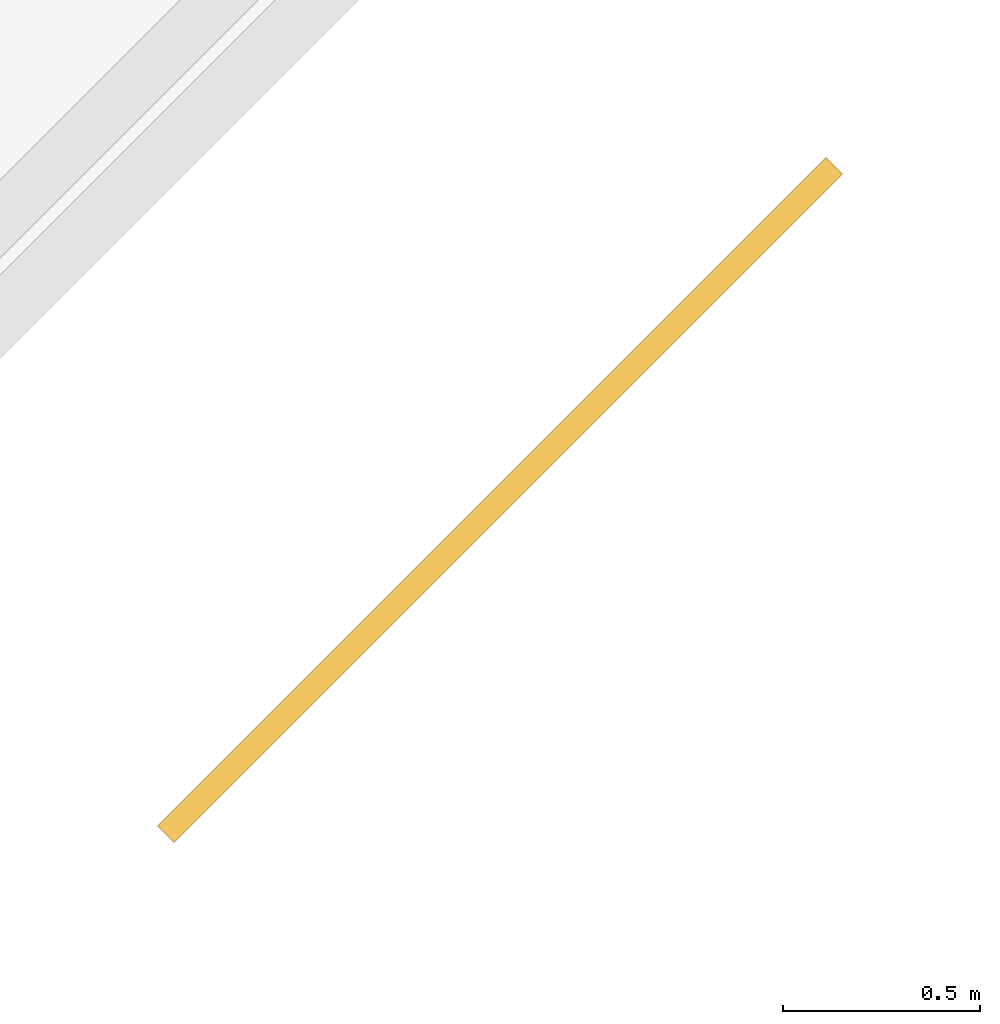
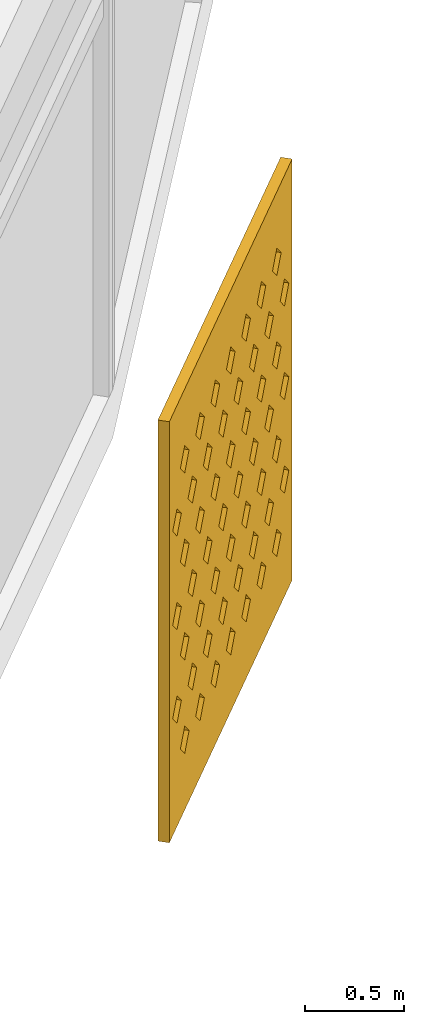
# One storey, part 31 of 31: 1 shading device.
"""IFC4 building model written with IfcOpenShell, lengths in metres."""

import ifcopenshell
import ifcopenshell.guid

model = None  # the IFC model being written
_history = None  # IfcOwnerHistory: only IFC2X3 demands one
_inside = {}  # id of a spatial element -> (the spatial element, [elements in it])
_under = {}  # id of a project, library or spatial element -> (it, [spatial elements below it])
_declared = {}  # id of a project -> (the project, [libraries it declares])
_typed = {}  # id of a type object -> (the type object, [elements of that type])
_made_of = {}  # id of a material, layer set ... -> (it, [elements and type objects made of it])


def new_model(schema):
    """Start an empty IFC model of exactly this schema.

    Asked for "IFC4X3", IfcOpenShell would pick the latest addendum, in which some entities
    have other attributes; the version numbers below select the first issue.
    IFC2X3 requires an IfcOwnerHistory on every rooted entity: one is made here for all.
    """
    global model, _history
    if schema == "IFC4X3":
        model = ifcopenshell.file(schema_version=(4, 3, 0, 0))
    else:
        model = ifcopenshell.file(schema=schema)
    _inside.clear()
    _under.clear()
    _declared.clear()
    _typed.clear()
    _made_of.clear()
    _history = None
    if model.schema == "IFC2X3":
        org = make("IfcOrganization", Name="unknown")
        user = make(
            "IfcPersonAndOrganization",
            ThePerson=make("IfcPerson", FamilyName="unknown"),
            TheOrganization=org,
        )
        app = make(
            "IfcApplication",
            ApplicationDeveloper=org,
            Version="unknown",
            ApplicationFullName="unknown",
            ApplicationIdentifier="unknown",
        )
        _history = make(
            "IfcOwnerHistory",
            OwningUser=user,
            OwningApplication=app,
            ChangeAction="ADDED",
            CreationDate=0,
        )
    return model


def make(cls, **values):
    """One entity of the class cls with the attributes given. An attribute that is None is left unset."""
    return model.create_entity(
        cls, **{name: value for name, value in values.items() if value is not None}
    )


def rooted(cls, **values):
    """An entity with a GlobalId (a new one), such as an element, a storey or a relation."""
    return make(cls, GlobalId=ifcopenshell.guid.new(), OwnerHistory=_history, **values)


def si_unit(unit_type, name, prefix=None):
    """IfcSIUnit, for example si_unit("LENGTHUNIT", "METRE", prefix="MILLI")."""
    return make("IfcSIUnit", UnitType=unit_type, Prefix=prefix, Name=name)


def assignment(units):
    """IfcUnitAssignment: the units of a project."""
    return None if units is None else make("IfcUnitAssignment", Units=units)


def point(xyz):
    """IfcCartesianPoint."""
    return None if xyz is None else make("IfcCartesianPoint", Coordinates=xyz)


def direction(xyz):
    """IfcDirection."""
    return None if xyz is None else make("IfcDirection", DirectionRatios=xyz)


def frame(location, z_axis=None, x_axis=None):
    """IfcAxis2Placement3D, a coordinate frame: its origin and axes. An axis left out is left unset."""
    return make(
        "IfcAxis2Placement3D",
        Location=point(location),
        Axis=direction(z_axis),
        RefDirection=direction(x_axis),
    )


def origin():
    """The frame at (0, 0, 0) with its axes left unset."""
    return frame((0.0, 0.0, 0.0))


def place(relative_to, where):
    """IfcLocalPlacement: puts the frame where relative to a parent placement (None: the world)."""
    return make(
        "IfcLocalPlacement", PlacementRelTo=relative_to, RelativePlacement=where
    )


def context(
    kind, dimensions, precision=None, world=None, true_north=None, identifier=None
):
    """IfcGeometricRepresentationContext, for example the 3D "Model" context."""
    return make(
        "IfcGeometricRepresentationContext",
        ContextIdentifier=identifier,
        ContextType=kind,
        CoordinateSpaceDimension=dimensions,
        Precision=precision,
        WorldCoordinateSystem=world,
        TrueNorth=true_north,
    )


def subcontext(parent, identifier, kind, view, scale=None):
    """IfcGeometricRepresentationSubContext, for example "Body" below "Model"."""
    return make(
        "IfcGeometricRepresentationSubContext",
        ContextIdentifier=identifier,
        ContextType=kind,
        ParentContext=parent,
        TargetScale=scale,
        TargetView=view,
    )


def project(units=None, contexts=None):
    """IfcProject with its units and contexts."""
    return rooted(
        "IfcProject",
        Name="project",
        RepresentationContexts=contexts,
        UnitsInContext=assignment(units),
    )


def spatial(cls, under=None, at=None, **own):
    """A site, building, storey or space (cls), placed at a placement, below another one or the project."""
    s = rooted(cls, ObjectPlacement=at, **own)
    if under is not None:
        _under.setdefault(under.id(), (under, []))[1].append(s)
    return s


def polyline(points):
    """IfcPolyline through the points."""
    return make("IfcPolyline", Points=[point(p) for p in points])


def outline(outer, holes=None, kind="AREA"):
    """IfcArbitraryClosedProfileDef: a profile drawn as a closed curve; with holes, ...WithVoids."""
    if holes is None:
        return make("IfcArbitraryClosedProfileDef", ProfileType=kind, OuterCurve=outer)
    return make(
        "IfcArbitraryProfileDefWithVoids",
        ProfileType=kind,
        OuterCurve=outer,
        InnerCurves=holes,
    )


def extrude(swept, where, along, depth):
    """IfcExtrudedAreaSolid: the profile swept, set in the frame where, extruded along a direction by depth."""
    return make(
        "IfcExtrudedAreaSolid",
        SweptArea=swept,
        Position=where,
        ExtrudedDirection=direction(along),
        Depth=depth,
    )


def shape(context_of_items, identifier, shape_type, items):
    """IfcShapeRepresentation: the items that make up one representation, for example the "Body"."""
    return make(
        "IfcShapeRepresentation",
        ContextOfItems=context_of_items,
        RepresentationIdentifier=identifier,
        RepresentationType=shape_type,
        Items=items,
    )


def material(Name=None, Category=None):
    """IfcMaterial."""
    return make("IfcMaterial", Name=Name, Category=Category)


def material_profile(
    of_material, cross_section, Name=None, Category=None, Priority=None
):
    """IfcMaterialProfile: a cross section and its material."""
    return make(
        "IfcMaterialProfile",
        Name=Name,
        Material=of_material,
        Profile=cross_section,
        Priority=Priority,
        Category=Category,
    )


def profile_set(profiles, Name=None, composite=None):
    """IfcMaterialProfileSet."""
    return make(
        "IfcMaterialProfileSet",
        Name=Name,
        MaterialProfiles=profiles,
        CompositeProfile=composite,
    )


def made_of(thing, what):
    """Note that an element or type object is made of a material, layer set ...; save() writes the relation."""
    if what is not None:
        _made_of.setdefault(what.id(), (what, []))[1].append(thing)
    return thing


def type_object(cls, material=None, **own):
    """A type object (cls), such as IfcWallType, which elements share."""
    return made_of(rooted(cls, **own), material)


def element(
    cls,
    number,
    at=None,
    inside=None,
    cuts=None,
    type_object=None,
    material=None,
    context=None,
    identifier="Body",
    shape_type=None,
    held_by="IfcProductDefinitionShape",
    body=None,
    shapes=None,
    **own,
):
    """One element of the class cls, such as IfcWall. Its Tag is "e" and its number.

    at: its placement. inside: the storey or other place that contains it. cuts: it is an
    opening in that element (IfcRelVoidsElement). A single representation is given by context,
    identifier, shape_type and body (its items); several are given by shapes. held_by: the class
    of the entity that holds the representations. save() writes the other relations.
    """
    e = rooted(cls, Tag="e%d" % number, ObjectPlacement=at, **own)
    if body is not None:
        shapes = [shape(context, identifier, shape_type, body)]
    if shapes is not None:
        e.Representation = make(held_by, Representations=shapes)
    if inside is not None:
        _inside.setdefault(inside.id(), (inside, []))[1].append(e)
    if cuts is not None:
        rooted(
            "IfcRelVoidsElement", RelatingBuildingElement=cuts, RelatedOpeningElement=e
        )
    if type_object is not None:
        _typed.setdefault(type_object.id(), (type_object, []))[1].append(e)
    return made_of(e, material)


def aggregate(whole, parts):
    """IfcRelAggregates: a whole, such as a stair, and the parts it consists of."""
    return rooted("IfcRelAggregates", RelatingObject=whole, RelatedObjects=parts)


def save(model, path):
    """Write the relations noted so far, then the file.

    IfcRelAggregates (storeys below a building ...), IfcRelContainedInSpatialStructure (elements
    in a storey), IfcRelDefinesByType, IfcRelAssociatesMaterial and IfcRelDeclares: one each for
    every whole, place, type object, material and project.
    """
    for whole, parts in _under.values():
        aggregate(whole, parts)
    for where, things in _inside.values():
        rooted(
            "IfcRelContainedInSpatialStructure",
            RelatedElements=things,
            RelatingStructure=where,
        )
    for kind, things in _typed.values():
        rooted("IfcRelDefinesByType", RelatedObjects=things, RelatingType=kind)
    for what, things in _made_of.values():
        rooted("IfcRelAssociatesMaterial", RelatedObjects=things, RelatingMaterial=what)
    for by, libraries in _declared.values():
        rooted("IfcRelDeclares", RelatingContext=by, RelatedDefinitions=libraries)
    model.write(path)


model = new_model("IFC4")

# Units and contexts
model_context = context("Model", 3, precision=1e-05, world=origin(), true_north=direction((0.0, 1.0)))
body_context = subcontext(model_context, "Body", "Model", "MODEL_VIEW")
ifc_project = project(units=[si_unit("LENGTHUNIT", "METRE"), si_unit("AREAUNIT", "SQUARE_METRE"), si_unit("VOLUMEUNIT", "CUBIC_METRE"), si_unit("PLANEANGLEUNIT", "RADIAN"), si_unit("MASSUNIT", "GRAM", prefix="KILO")], contexts=[model_context])

# Site, building, storey
site_placement = place(None, origin())
site = spatial("IfcSite", under=ifc_project, at=site_placement, CompositionType="ELEMENT")
building_placement = place(site_placement, origin())
building = spatial("IfcBuilding", under=site, at=building_placement, Name="Qamariyya Broadcast Tower", CompositionType="ELEMENT")
storey_placement = place(building_placement, frame((0.0, 0.0, 51.89990234375)))
storey = spatial("IfcBuildingStorey", under=building, at=storey_placement, Name="L09", CompositionType="ELEMENT", Elevation=51.89990234375)

# Shading device
ifc_material = material(Name="Perforated glazed terracotta", Category="masonry")
ifc_material_profile = material_profile(ifc_material, outline(polyline([(-1.199951171875, -1.300048828125), (1.199951171875, -1.300048828125), (1.199951171875, 1.300048828125), (-1.199951171875, 1.300048828125), (-1.199951171875, -1.300048828125)]), holes=[polyline([(-0.81494140625, -0.86669921875), (-0.89990234375, -0.78173828125), (-0.985107421875, -0.86669921875), (-0.89990234375, -0.95166015625), (-0.81494140625, -0.86669921875)]), polyline([(-0.514892578125, -0.86669921875), (-0.60009765625, -0.78173828125), (-0.68505859375, -0.86669921875), (-0.60009765625, -0.95166015625), (-0.514892578125, -0.86669921875)]), polyline([(-0.215087890625, -0.86669921875), (-0.300048828125, -0.78173828125), (-0.385009765625, -0.86669921875), (-0.300048828125, -0.95166015625), (-0.215087890625, -0.86669921875)]), polyline([(0.0849609375, -0.86669921875), (0.0, -0.78173828125), (-0.0849609375, -0.86669921875), (0.0, -0.95166015625), (0.0849609375, -0.86669921875)]), polyline([(0.385009765625, -0.86669921875), (0.300048828125, -0.78173828125), (0.215087890625, -0.86669921875), (0.300048828125, -0.95166015625), (0.385009765625, -0.86669921875)]), polyline([(0.68505859375, -0.86669921875), (0.60009765625, -0.78173828125), (0.514892578125, -0.86669921875), (0.60009765625, -0.95166015625), (0.68505859375, -0.86669921875)]), polyline([(0.985107421875, -0.86669921875), (0.89990234375, -0.78173828125), (0.81494140625, -0.86669921875), (0.89990234375, -0.95166015625), (0.985107421875, -0.86669921875)]), polyline([(-0.965087890625, -0.577880859375), (-1.050048828125, -0.49267578125), (-1.135009765625, -0.577880859375), (-1.050048828125, -0.662841796875), (-0.965087890625, -0.577880859375)]), polyline([(-0.6650390625, -0.577880859375), (-0.75, -0.49267578125), (-0.8349609375, -0.577880859375), (-0.75, -0.662841796875), (-0.6650390625, -0.577880859375)]), polyline([(-0.364990234375, -0.577880859375), (-0.449951171875, -0.49267578125), (-0.534912109375, -0.577880859375), (-0.449951171875, -0.662841796875), (-0.364990234375, -0.577880859375)]), polyline([(-0.06494140625, -0.577880859375), (-0.14990234375, -0.49267578125), (-0.235107421875, -0.577880859375), (-0.14990234375, -0.662841796875), (-0.06494140625, -0.577880859375)]), polyline([(0.235107421875, -0.577880859375), (0.14990234375, -0.49267578125), (0.06494140625, -0.577880859375), (0.14990234375, -0.662841796875), (0.235107421875, -0.577880859375)]), polyline([(0.534912109375, -0.577880859375), (0.449951171875, -0.49267578125), (0.364990234375, -0.577880859375), (0.449951171875, -0.662841796875), (0.534912109375, -0.577880859375)]), polyline([(0.8349609375, -0.577880859375), (0.75, -0.49267578125), (0.6650390625, -0.577880859375), (0.75, -0.662841796875), (0.8349609375, -0.577880859375)]), polyline([(1.135009765625, -0.577880859375), (1.050048828125, -0.49267578125), (0.965087890625, -0.577880859375), (1.050048828125, -0.662841796875), (1.135009765625, -0.577880859375)]), polyline([(-0.81494140625, -0.288818359375), (-0.89990234375, -0.203857421875), (-0.985107421875, -0.288818359375), (-0.89990234375, -0.373779296875), (-0.81494140625, -0.288818359375)]), polyline([(-0.514892578125, -0.288818359375), (-0.60009765625, -0.203857421875), (-0.68505859375, -0.288818359375), (-0.60009765625, -0.373779296875), (-0.514892578125, -0.288818359375)]), polyline([(-0.215087890625, -0.288818359375), (-0.300048828125, -0.203857421875), (-0.385009765625, -0.288818359375), (-0.300048828125, -0.373779296875), (-0.215087890625, -0.288818359375)]), polyline([(0.0849609375, -0.288818359375), (0.0, -0.203857421875), (-0.0849609375, -0.288818359375), (0.0, -0.373779296875), (0.0849609375, -0.288818359375)]), polyline([(0.385009765625, -0.288818359375), (0.300048828125, -0.203857421875), (0.215087890625, -0.288818359375), (0.300048828125, -0.373779296875), (0.385009765625, -0.288818359375)]), polyline([(0.68505859375, -0.288818359375), (0.60009765625, -0.203857421875), (0.514892578125, -0.288818359375), (0.60009765625, -0.373779296875), (0.68505859375, -0.288818359375)]), polyline([(0.985107421875, -0.288818359375), (0.89990234375, -0.203857421875), (0.81494140625, -0.288818359375), (0.89990234375, -0.373779296875), (0.985107421875, -0.288818359375)]), polyline([(-0.965087890625, 0.0), (-1.050048828125, 0.0849609375), (-1.135009765625, 0.0), (-1.050048828125, -0.0849609375), (-0.965087890625, 0.0)]), polyline([(-0.6650390625, 0.0), (-0.75, 0.0849609375), (-0.8349609375, 0.0), (-0.75, -0.0849609375), (-0.6650390625, 0.0)]), polyline([(-0.364990234375, 0.0), (-0.449951171875, 0.0849609375), (-0.534912109375, 0.0), (-0.449951171875, -0.0849609375), (-0.364990234375, 0.0)]), polyline([(-0.06494140625, 0.0), (-0.14990234375, 0.0849609375), (-0.235107421875, 0.0), (-0.14990234375, -0.0849609375), (-0.06494140625, 0.0)]), polyline([(0.235107421875, 0.0), (0.14990234375, 0.0849609375), (0.06494140625, 0.0), (0.14990234375, -0.0849609375), (0.235107421875, 0.0)]), polyline([(0.534912109375, 0.0), (0.449951171875, 0.0849609375), (0.364990234375, 0.0), (0.449951171875, -0.0849609375), (0.534912109375, 0.0)]), polyline([(0.8349609375, 0.0), (0.75, 0.0849609375), (0.6650390625, 0.0), (0.75, -0.0849609375), (0.8349609375, 0.0)]), polyline([(1.135009765625, 0.0), (1.050048828125, 0.0849609375), (0.965087890625, 0.0), (1.050048828125, -0.0849609375), (1.135009765625, 0.0)]), polyline([(-0.81494140625, 0.288818359375), (-0.89990234375, 0.373779296875), (-0.985107421875, 0.288818359375), (-0.89990234375, 0.203857421875), (-0.81494140625, 0.288818359375)]), polyline([(-0.514892578125, 0.288818359375), (-0.60009765625, 0.373779296875), (-0.68505859375, 0.288818359375), (-0.60009765625, 0.203857421875), (-0.514892578125, 0.288818359375)]), polyline([(-0.215087890625, 0.288818359375), (-0.300048828125, 0.373779296875), (-0.385009765625, 0.288818359375), (-0.300048828125, 0.203857421875), (-0.215087890625, 0.288818359375)]), polyline([(0.0849609375, 0.288818359375), (0.0, 0.373779296875), (-0.0849609375, 0.288818359375), (0.0, 0.203857421875), (0.0849609375, 0.288818359375)]), polyline([(0.385009765625, 0.288818359375), (0.300048828125, 0.373779296875), (0.215087890625, 0.288818359375), (0.300048828125, 0.203857421875), (0.385009765625, 0.288818359375)]), polyline([(0.68505859375, 0.288818359375), (0.60009765625, 0.373779296875), (0.514892578125, 0.288818359375), (0.60009765625, 0.203857421875), (0.68505859375, 0.288818359375)]), polyline([(0.985107421875, 0.288818359375), (0.89990234375, 0.373779296875), (0.81494140625, 0.288818359375), (0.89990234375, 0.203857421875), (0.985107421875, 0.288818359375)]), polyline([(-0.965087890625, 0.577880859375), (-1.050048828125, 0.662841796875), (-1.135009765625, 0.577880859375), (-1.050048828125, 0.49267578125), (-0.965087890625, 0.577880859375)]), polyline([(-0.6650390625, 0.577880859375), (-0.75, 0.662841796875), (-0.8349609375, 0.577880859375), (-0.75, 0.49267578125), (-0.6650390625, 0.577880859375)]), polyline([(-0.364990234375, 0.577880859375), (-0.449951171875, 0.662841796875), (-0.534912109375, 0.577880859375), (-0.449951171875, 0.49267578125), (-0.364990234375, 0.577880859375)]), polyline([(-0.06494140625, 0.577880859375), (-0.14990234375, 0.662841796875), (-0.235107421875, 0.577880859375), (-0.14990234375, 0.49267578125), (-0.06494140625, 0.577880859375)]), polyline([(0.235107421875, 0.577880859375), (0.14990234375, 0.662841796875), (0.06494140625, 0.577880859375), (0.14990234375, 0.49267578125), (0.235107421875, 0.577880859375)]), polyline([(0.534912109375, 0.577880859375), (0.449951171875, 0.662841796875), (0.364990234375, 0.577880859375), (0.449951171875, 0.49267578125), (0.534912109375, 0.577880859375)]), polyline([(0.8349609375, 0.577880859375), (0.75, 0.662841796875), (0.6650390625, 0.577880859375), (0.75, 0.49267578125), (0.8349609375, 0.577880859375)]), polyline([(1.135009765625, 0.577880859375), (1.050048828125, 0.662841796875), (0.965087890625, 0.577880859375), (1.050048828125, 0.49267578125), (1.135009765625, 0.577880859375)]), polyline([(-0.81494140625, 0.86669921875), (-0.89990234375, 0.95166015625), (-0.985107421875, 0.86669921875), (-0.89990234375, 0.78173828125), (-0.81494140625, 0.86669921875)]), polyline([(-0.514892578125, 0.86669921875), (-0.60009765625, 0.95166015625), (-0.68505859375, 0.86669921875), (-0.60009765625, 0.78173828125), (-0.514892578125, 0.86669921875)]), polyline([(-0.215087890625, 0.86669921875), (-0.300048828125, 0.95166015625), (-0.385009765625, 0.86669921875), (-0.300048828125, 0.78173828125), (-0.215087890625, 0.86669921875)]), polyline([(0.0849609375, 0.86669921875), (0.0, 0.95166015625), (-0.0849609375, 0.86669921875), (0.0, 0.78173828125), (0.0849609375, 0.86669921875)]), polyline([(0.385009765625, 0.86669921875), (0.300048828125, 0.95166015625), (0.215087890625, 0.86669921875), (0.300048828125, 0.78173828125), (0.385009765625, 0.86669921875)]), polyline([(0.68505859375, 0.86669921875), (0.60009765625, 0.95166015625), (0.514892578125, 0.86669921875), (0.60009765625, 0.78173828125), (0.68505859375, 0.86669921875)]), polyline([(0.985107421875, 0.86669921875), (0.89990234375, 0.95166015625), (0.81494140625, 0.86669921875), (0.89990234375, 0.78173828125), (0.985107421875, 0.86669921875)])]))
ifc_profile_set = profile_set([ifc_material_profile], Name="Perforated glazed terracotta")
shading_device_type = type_object("IfcShadingDeviceType", Name="Perforated terracotta screen 2400 x 2600", PredefinedType="USERDEFINED", material=ifc_profile_set)
shading_device_placement = place(storey_placement, frame((58.9033203125, -55.293701171875, 1.35009765625), z_axis=(0.707106781187, -0.707106781187, 0.0), x_axis=(0.707106781187, 0.707106781187, 0.0)))
element("IfcShadingDevice", 1, at=shading_device_placement, inside=storey, type_object=shading_device_type, Name="e-scr-L09-14-2", ObjectType="SCREEN", PredefinedType="USERDEFINED", context=body_context, shape_type="SweptSolid", body=[
    extrude(outline(polyline([(-1.199951171875, -1.300048828125), (1.199951171875, -1.300048828125), (1.199951171875, 1.300048828125), (-1.199951171875, 1.300048828125), (-1.199951171875, -1.300048828125)]), holes=[polyline([(-0.81494140625, -0.86669921875), (-0.89990234375, -0.78173828125), (-0.985107421875, -0.86669921875), (-0.89990234375, -0.95166015625), (-0.81494140625, -0.86669921875)]), polyline([(-0.514892578125, -0.86669921875), (-0.60009765625, -0.78173828125), (-0.68505859375, -0.86669921875), (-0.60009765625, -0.95166015625), (-0.514892578125, -0.86669921875)]), polyline([(-0.215087890625, -0.86669921875), (-0.300048828125, -0.78173828125), (-0.385009765625, -0.86669921875), (-0.300048828125, -0.95166015625), (-0.215087890625, -0.86669921875)]), polyline([(0.0849609375, -0.86669921875), (0.0, -0.78173828125), (-0.0849609375, -0.86669921875), (0.0, -0.95166015625), (0.0849609375, -0.86669921875)]), polyline([(0.385009765625, -0.86669921875), (0.300048828125, -0.78173828125), (0.215087890625, -0.86669921875), (0.300048828125, -0.95166015625), (0.385009765625, -0.86669921875)]), polyline([(0.68505859375, -0.86669921875), (0.60009765625, -0.78173828125), (0.514892578125, -0.86669921875), (0.60009765625, -0.95166015625), (0.68505859375, -0.86669921875)]), polyline([(0.985107421875, -0.86669921875), (0.89990234375, -0.78173828125), (0.81494140625, -0.86669921875), (0.89990234375, -0.95166015625), (0.985107421875, -0.86669921875)]), polyline([(-0.965087890625, -0.577880859375), (-1.050048828125, -0.49267578125), (-1.135009765625, -0.577880859375), (-1.050048828125, -0.662841796875), (-0.965087890625, -0.577880859375)]), polyline([(-0.6650390625, -0.577880859375), (-0.75, -0.49267578125), (-0.8349609375, -0.577880859375), (-0.75, -0.662841796875), (-0.6650390625, -0.577880859375)]), polyline([(-0.364990234375, -0.577880859375), (-0.449951171875, -0.49267578125), (-0.534912109375, -0.577880859375), (-0.449951171875, -0.662841796875), (-0.364990234375, -0.577880859375)]), polyline([(-0.06494140625, -0.577880859375), (-0.14990234375, -0.49267578125), (-0.235107421875, -0.577880859375), (-0.14990234375, -0.662841796875), (-0.06494140625, -0.577880859375)]), polyline([(0.235107421875, -0.577880859375), (0.14990234375, -0.49267578125), (0.06494140625, -0.577880859375), (0.14990234375, -0.662841796875), (0.235107421875, -0.577880859375)]), polyline([(0.534912109375, -0.577880859375), (0.449951171875, -0.49267578125), (0.364990234375, -0.577880859375), (0.449951171875, -0.662841796875), (0.534912109375, -0.577880859375)]), polyline([(0.8349609375, -0.577880859375), (0.75, -0.49267578125), (0.6650390625, -0.577880859375), (0.75, -0.662841796875), (0.8349609375, -0.577880859375)]), polyline([(1.135009765625, -0.577880859375), (1.050048828125, -0.49267578125), (0.965087890625, -0.577880859375), (1.050048828125, -0.662841796875), (1.135009765625, -0.577880859375)]), polyline([(-0.81494140625, -0.288818359375), (-0.89990234375, -0.203857421875), (-0.985107421875, -0.288818359375), (-0.89990234375, -0.373779296875), (-0.81494140625, -0.288818359375)]), polyline([(-0.514892578125, -0.288818359375), (-0.60009765625, -0.203857421875), (-0.68505859375, -0.288818359375), (-0.60009765625, -0.373779296875), (-0.514892578125, -0.288818359375)]), polyline([(-0.215087890625, -0.288818359375), (-0.300048828125, -0.203857421875), (-0.385009765625, -0.288818359375), (-0.300048828125, -0.373779296875), (-0.215087890625, -0.288818359375)]), polyline([(0.0849609375, -0.288818359375), (0.0, -0.203857421875), (-0.0849609375, -0.288818359375), (0.0, -0.373779296875), (0.0849609375, -0.288818359375)]), polyline([(0.385009765625, -0.288818359375), (0.300048828125, -0.203857421875), (0.215087890625, -0.288818359375), (0.300048828125, -0.373779296875), (0.385009765625, -0.288818359375)]), polyline([(0.68505859375, -0.288818359375), (0.60009765625, -0.203857421875), (0.514892578125, -0.288818359375), (0.60009765625, -0.373779296875), (0.68505859375, -0.288818359375)]), polyline([(0.985107421875, -0.288818359375), (0.89990234375, -0.203857421875), (0.81494140625, -0.288818359375), (0.89990234375, -0.373779296875), (0.985107421875, -0.288818359375)]), polyline([(-0.965087890625, 0.0), (-1.050048828125, 0.0849609375), (-1.135009765625, 0.0), (-1.050048828125, -0.0849609375), (-0.965087890625, 0.0)]), polyline([(-0.6650390625, 0.0), (-0.75, 0.0849609375), (-0.8349609375, 0.0), (-0.75, -0.0849609375), (-0.6650390625, 0.0)]), polyline([(-0.364990234375, 0.0), (-0.449951171875, 0.0849609375), (-0.534912109375, 0.0), (-0.449951171875, -0.0849609375), (-0.364990234375, 0.0)]), polyline([(-0.06494140625, 0.0), (-0.14990234375, 0.0849609375), (-0.235107421875, 0.0), (-0.14990234375, -0.0849609375), (-0.06494140625, 0.0)]), polyline([(0.235107421875, 0.0), (0.14990234375, 0.0849609375), (0.06494140625, 0.0), (0.14990234375, -0.0849609375), (0.235107421875, 0.0)]), polyline([(0.534912109375, 0.0), (0.449951171875, 0.0849609375), (0.364990234375, 0.0), (0.449951171875, -0.0849609375), (0.534912109375, 0.0)]), polyline([(0.8349609375, 0.0), (0.75, 0.0849609375), (0.6650390625, 0.0), (0.75, -0.0849609375), (0.8349609375, 0.0)]), polyline([(1.135009765625, 0.0), (1.050048828125, 0.0849609375), (0.965087890625, 0.0), (1.050048828125, -0.0849609375), (1.135009765625, 0.0)]), polyline([(-0.81494140625, 0.288818359375), (-0.89990234375, 0.373779296875), (-0.985107421875, 0.288818359375), (-0.89990234375, 0.203857421875), (-0.81494140625, 0.288818359375)]), polyline([(-0.514892578125, 0.288818359375), (-0.60009765625, 0.373779296875), (-0.68505859375, 0.288818359375), (-0.60009765625, 0.203857421875), (-0.514892578125, 0.288818359375)]), polyline([(-0.215087890625, 0.288818359375), (-0.300048828125, 0.373779296875), (-0.385009765625, 0.288818359375), (-0.300048828125, 0.203857421875), (-0.215087890625, 0.288818359375)]), polyline([(0.0849609375, 0.288818359375), (0.0, 0.373779296875), (-0.0849609375, 0.288818359375), (0.0, 0.203857421875), (0.0849609375, 0.288818359375)]), polyline([(0.385009765625, 0.288818359375), (0.300048828125, 0.373779296875), (0.215087890625, 0.288818359375), (0.300048828125, 0.203857421875), (0.385009765625, 0.288818359375)]), polyline([(0.68505859375, 0.288818359375), (0.60009765625, 0.373779296875), (0.514892578125, 0.288818359375), (0.60009765625, 0.203857421875), (0.68505859375, 0.288818359375)]), polyline([(0.985107421875, 0.288818359375), (0.89990234375, 0.373779296875), (0.81494140625, 0.288818359375), (0.89990234375, 0.203857421875), (0.985107421875, 0.288818359375)]), polyline([(-0.965087890625, 0.577880859375), (-1.050048828125, 0.662841796875), (-1.135009765625, 0.577880859375), (-1.050048828125, 0.49267578125), (-0.965087890625, 0.577880859375)]), polyline([(-0.6650390625, 0.577880859375), (-0.75, 0.662841796875), (-0.8349609375, 0.577880859375), (-0.75, 0.49267578125), (-0.6650390625, 0.577880859375)]), polyline([(-0.364990234375, 0.577880859375), (-0.449951171875, 0.662841796875), (-0.534912109375, 0.577880859375), (-0.449951171875, 0.49267578125), (-0.364990234375, 0.577880859375)]), polyline([(-0.06494140625, 0.577880859375), (-0.14990234375, 0.662841796875), (-0.235107421875, 0.577880859375), (-0.14990234375, 0.49267578125), (-0.06494140625, 0.577880859375)]), polyline([(0.235107421875, 0.577880859375), (0.14990234375, 0.662841796875), (0.06494140625, 0.577880859375), (0.14990234375, 0.49267578125), (0.235107421875, 0.577880859375)]), polyline([(0.534912109375, 0.577880859375), (0.449951171875, 0.662841796875), (0.364990234375, 0.577880859375), (0.449951171875, 0.49267578125), (0.534912109375, 0.577880859375)]), polyline([(0.8349609375, 0.577880859375), (0.75, 0.662841796875), (0.6650390625, 0.577880859375), (0.75, 0.49267578125), (0.8349609375, 0.577880859375)]), polyline([(1.135009765625, 0.577880859375), (1.050048828125, 0.662841796875), (0.965087890625, 0.577880859375), (1.050048828125, 0.49267578125), (1.135009765625, 0.577880859375)]), polyline([(-0.81494140625, 0.86669921875), (-0.89990234375, 0.95166015625), (-0.985107421875, 0.86669921875), (-0.89990234375, 0.78173828125), (-0.81494140625, 0.86669921875)]), polyline([(-0.514892578125, 0.86669921875), (-0.60009765625, 0.95166015625), (-0.68505859375, 0.86669921875), (-0.60009765625, 0.78173828125), (-0.514892578125, 0.86669921875)]), polyline([(-0.215087890625, 0.86669921875), (-0.300048828125, 0.95166015625), (-0.385009765625, 0.86669921875), (-0.300048828125, 0.78173828125), (-0.215087890625, 0.86669921875)]), polyline([(0.0849609375, 0.86669921875), (0.0, 0.95166015625), (-0.0849609375, 0.86669921875), (0.0, 0.78173828125), (0.0849609375, 0.86669921875)]), polyline([(0.385009765625, 0.86669921875), (0.300048828125, 0.95166015625), (0.215087890625, 0.86669921875), (0.300048828125, 0.78173828125), (0.385009765625, 0.86669921875)]), polyline([(0.68505859375, 0.86669921875), (0.60009765625, 0.95166015625), (0.514892578125, 0.86669921875), (0.60009765625, 0.78173828125), (0.68505859375, 0.86669921875)]), polyline([(0.985107421875, 0.86669921875), (0.89990234375, 0.95166015625), (0.81494140625, 0.86669921875), (0.89990234375, 0.78173828125), (0.985107421875, 0.86669921875)])]), origin(), (0.0, 0.0, 1.0), 0.06005859375),
])

save(model, "model.ifc")
